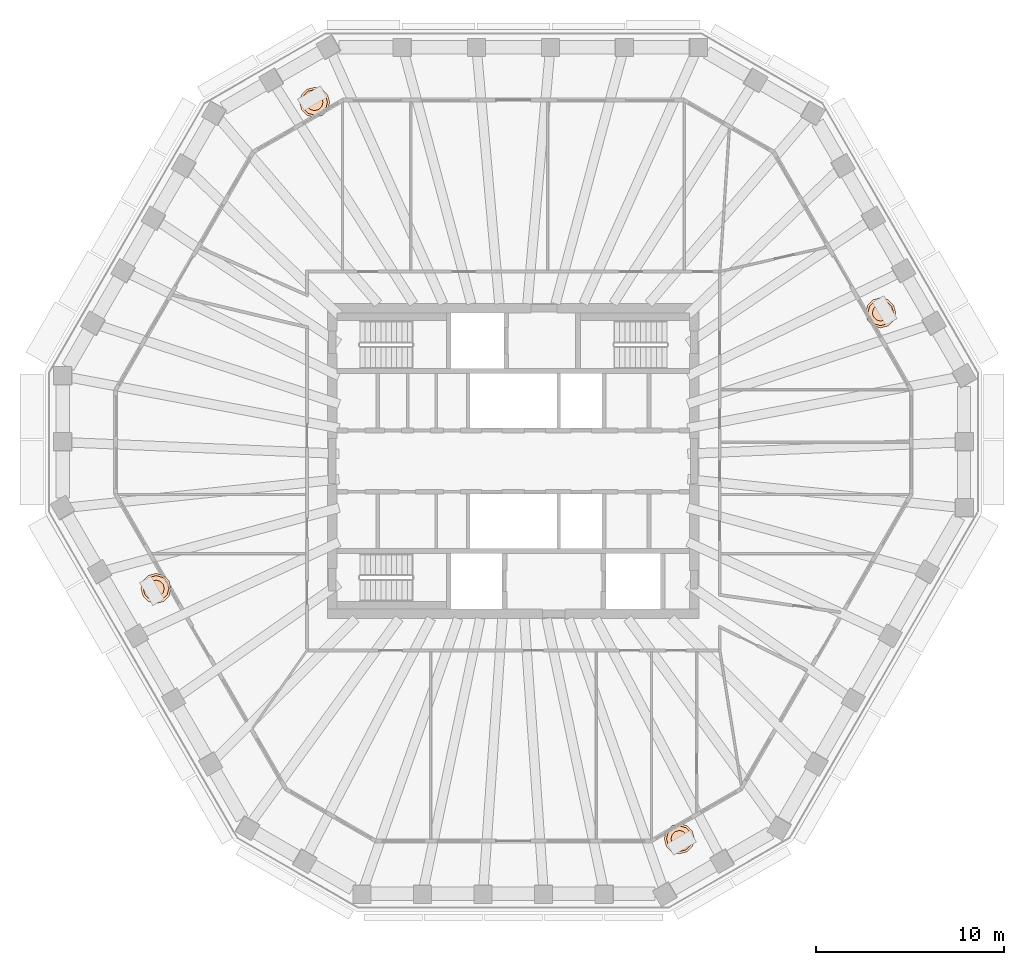
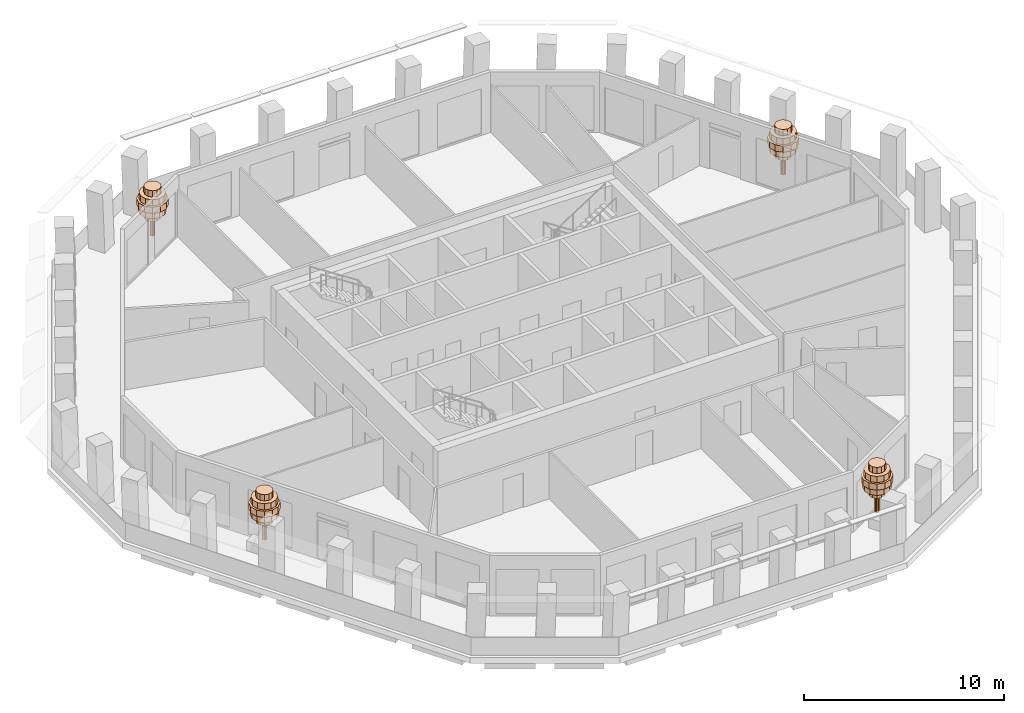
# One storey, part 11 of 11: 4 geographic elements.
"""IFC4 building model written with IfcOpenShell, lengths in metres."""

import ifcopenshell
import ifcopenshell.guid

model = None  # the IFC model being written
_history = None  # IfcOwnerHistory: only IFC2X3 demands one
_inside = {}  # id of a spatial element -> (the spatial element, [elements in it])
_under = {}  # id of a project, library or spatial element -> (it, [spatial elements below it])
_declared = {}  # id of a project -> (the project, [libraries it declares])
_typed = {}  # id of a type object -> (the type object, [elements of that type])
_made_of = {}  # id of a material, layer set ... -> (it, [elements and type objects made of it])


def new_model(schema):
    """Start an empty IFC model of exactly this schema.

    Asked for "IFC4X3", IfcOpenShell would pick the latest addendum, in which some entities
    have other attributes; the version numbers below select the first issue.
    IFC2X3 requires an IfcOwnerHistory on every rooted entity: one is made here for all.
    """
    global model, _history
    if schema == "IFC4X3":
        model = ifcopenshell.file(schema_version=(4, 3, 0, 0))
    else:
        model = ifcopenshell.file(schema=schema)
    _inside.clear()
    _under.clear()
    _declared.clear()
    _typed.clear()
    _made_of.clear()
    _history = None
    if model.schema == "IFC2X3":
        org = make("IfcOrganization", Name="unknown")
        user = make(
            "IfcPersonAndOrganization",
            ThePerson=make("IfcPerson", FamilyName="unknown"),
            TheOrganization=org,
        )
        app = make(
            "IfcApplication",
            ApplicationDeveloper=org,
            Version="unknown",
            ApplicationFullName="unknown",
            ApplicationIdentifier="unknown",
        )
        _history = make(
            "IfcOwnerHistory",
            OwningUser=user,
            OwningApplication=app,
            ChangeAction="ADDED",
            CreationDate=0,
        )
    return model


def make(cls, **values):
    """One entity of the class cls with the attributes given. An attribute that is None is left unset."""
    return model.create_entity(
        cls, **{name: value for name, value in values.items() if value is not None}
    )


def rooted(cls, **values):
    """An entity with a GlobalId (a new one), such as an element, a storey or a relation."""
    return make(cls, GlobalId=ifcopenshell.guid.new(), OwnerHistory=_history, **values)


def si_unit(unit_type, name, prefix=None):
    """IfcSIUnit, for example si_unit("LENGTHUNIT", "METRE", prefix="MILLI")."""
    return make("IfcSIUnit", UnitType=unit_type, Prefix=prefix, Name=name)


def assignment(units):
    """IfcUnitAssignment: the units of a project."""
    return None if units is None else make("IfcUnitAssignment", Units=units)


def point(xyz):
    """IfcCartesianPoint."""
    return None if xyz is None else make("IfcCartesianPoint", Coordinates=xyz)


def direction(xyz):
    """IfcDirection."""
    return None if xyz is None else make("IfcDirection", DirectionRatios=xyz)


def frame(location, z_axis=None, x_axis=None):
    """IfcAxis2Placement3D, a coordinate frame: its origin and axes. An axis left out is left unset."""
    return make(
        "IfcAxis2Placement3D",
        Location=point(location),
        Axis=direction(z_axis),
        RefDirection=direction(x_axis),
    )


def origin():
    """The frame at (0, 0, 0) with its axes left unset."""
    return frame((0.0, 0.0, 0.0))


def place(relative_to, where):
    """IfcLocalPlacement: puts the frame where relative to a parent placement (None: the world)."""
    return make(
        "IfcLocalPlacement", PlacementRelTo=relative_to, RelativePlacement=where
    )


def context(
    kind, dimensions, precision=None, world=None, true_north=None, identifier=None
):
    """IfcGeometricRepresentationContext, for example the 3D "Model" context."""
    return make(
        "IfcGeometricRepresentationContext",
        ContextIdentifier=identifier,
        ContextType=kind,
        CoordinateSpaceDimension=dimensions,
        Precision=precision,
        WorldCoordinateSystem=world,
        TrueNorth=true_north,
    )


def subcontext(parent, identifier, kind, view, scale=None):
    """IfcGeometricRepresentationSubContext, for example "Body" below "Model"."""
    return make(
        "IfcGeometricRepresentationSubContext",
        ContextIdentifier=identifier,
        ContextType=kind,
        ParentContext=parent,
        TargetScale=scale,
        TargetView=view,
    )


def project(units=None, contexts=None):
    """IfcProject with its units and contexts."""
    return rooted(
        "IfcProject",
        Name="project",
        RepresentationContexts=contexts,
        UnitsInContext=assignment(units),
    )


def spatial(cls, under=None, at=None, **own):
    """A site, building, storey or space (cls), placed at a placement, below another one or the project."""
    s = rooted(cls, ObjectPlacement=at, **own)
    if under is not None:
        _under.setdefault(under.id(), (under, []))[1].append(s)
    return s


def polyline(points):
    """IfcPolyline through the points."""
    return make("IfcPolyline", Points=[point(p) for p in points])


def outline(outer, holes=None, kind="AREA"):
    """IfcArbitraryClosedProfileDef: a profile drawn as a closed curve; with holes, ...WithVoids."""
    if holes is None:
        return make("IfcArbitraryClosedProfileDef", ProfileType=kind, OuterCurve=outer)
    return make(
        "IfcArbitraryProfileDefWithVoids",
        ProfileType=kind,
        OuterCurve=outer,
        InnerCurves=holes,
    )


def extrude(swept, where, along, depth):
    """IfcExtrudedAreaSolid: the profile swept, set in the frame where, extruded along a direction by depth."""
    return make(
        "IfcExtrudedAreaSolid",
        SweptArea=swept,
        Position=where,
        ExtrudedDirection=direction(along),
        Depth=depth,
    )


def shape(context_of_items, identifier, shape_type, items):
    """IfcShapeRepresentation: the items that make up one representation, for example the "Body"."""
    return make(
        "IfcShapeRepresentation",
        ContextOfItems=context_of_items,
        RepresentationIdentifier=identifier,
        RepresentationType=shape_type,
        Items=items,
    )


def material(Name=None, Category=None):
    """IfcMaterial."""
    return make("IfcMaterial", Name=Name, Category=Category)


def made_of(thing, what):
    """Note that an element or type object is made of a material, layer set ...; save() writes the relation."""
    if what is not None:
        _made_of.setdefault(what.id(), (what, []))[1].append(thing)
    return thing


def type_object(cls, material=None, **own):
    """A type object (cls), such as IfcWallType, which elements share."""
    return made_of(rooted(cls, **own), material)


def element(
    cls,
    number,
    at=None,
    inside=None,
    cuts=None,
    type_object=None,
    material=None,
    context=None,
    identifier="Body",
    shape_type=None,
    held_by="IfcProductDefinitionShape",
    body=None,
    shapes=None,
    **own,
):
    """One element of the class cls, such as IfcWall. Its Tag is "e" and its number.

    at: its placement. inside: the storey or other place that contains it. cuts: it is an
    opening in that element (IfcRelVoidsElement). A single representation is given by context,
    identifier, shape_type and body (its items); several are given by shapes. held_by: the class
    of the entity that holds the representations. save() writes the other relations.
    """
    e = rooted(cls, Tag="e%d" % number, ObjectPlacement=at, **own)
    if body is not None:
        shapes = [shape(context, identifier, shape_type, body)]
    if shapes is not None:
        e.Representation = make(held_by, Representations=shapes)
    if inside is not None:
        _inside.setdefault(inside.id(), (inside, []))[1].append(e)
    if cuts is not None:
        rooted(
            "IfcRelVoidsElement", RelatingBuildingElement=cuts, RelatedOpeningElement=e
        )
    if type_object is not None:
        _typed.setdefault(type_object.id(), (type_object, []))[1].append(e)
    return made_of(e, material)


def aggregate(whole, parts):
    """IfcRelAggregates: a whole, such as a stair, and the parts it consists of."""
    return rooted("IfcRelAggregates", RelatingObject=whole, RelatedObjects=parts)


def save(model, path):
    """Write the relations noted so far, then the file.

    IfcRelAggregates (storeys below a building ...), IfcRelContainedInSpatialStructure (elements
    in a storey), IfcRelDefinesByType, IfcRelAssociatesMaterial and IfcRelDeclares: one each for
    every whole, place, type object, material and project.
    """
    for whole, parts in _under.values():
        aggregate(whole, parts)
    for where, things in _inside.values():
        rooted(
            "IfcRelContainedInSpatialStructure",
            RelatedElements=things,
            RelatingStructure=where,
        )
    for kind, things in _typed.values():
        rooted("IfcRelDefinesByType", RelatedObjects=things, RelatingType=kind)
    for what, things in _made_of.values():
        rooted("IfcRelAssociatesMaterial", RelatedObjects=things, RelatingMaterial=what)
    for by, libraries in _declared.values():
        rooted("IfcRelDeclares", RelatingContext=by, RelatedDefinitions=libraries)
    model.write(path)


model = new_model("IFC4")

# Units and contexts
model_context = context("Model", 3, precision=1e-05, world=origin(), true_north=direction((0.0, 1.0)))
body_context = subcontext(model_context, "Body", "Model", "MODEL_VIEW")
ifc_project = project(units=[si_unit("LENGTHUNIT", "METRE"), si_unit("AREAUNIT", "SQUARE_METRE"), si_unit("VOLUMEUNIT", "CUBIC_METRE"), si_unit("PLANEANGLEUNIT", "RADIAN"), si_unit("MASSUNIT", "GRAM", prefix="KILO")], contexts=[model_context])

# Site, building, storey
site_placement = place(None, origin())
site = spatial("IfcSite", under=ifc_project, at=site_placement, CompositionType="ELEMENT")
building_placement = place(site_placement, origin())
building = spatial("IfcBuilding", under=site, at=building_placement, Name="Frailejon Research Tower", CompositionType="ELEMENT")
storey_placement = place(building_placement, frame((0.0, 0.0, 295.0)))
storey = spatial("IfcBuildingStorey", under=building, at=storey_placement, Name="L65", CompositionType="ELEMENT", Elevation=295.0)

# Geographic elements
ifc_material = material(Name="Foliage, green")
geographic_element_type = type_object("IfcGeographicElementType", Name="Frailejon tree, loggia", PredefinedType="USERDEFINED", material=ifc_material)
geographic_element_1_placement = place(storey_placement, frame((19.483154296875, 7.865234375, 0.60009765625)))
element("IfcGeographicElement", 1, at=geographic_element_1_placement, inside=storey, type_object=geographic_element_type, Name="Tree L65", ObjectType="TREE", PredefinedType="USERDEFINED", context=body_context, shape_type="SweptSolid", body=[
    extrude(outline(polyline([(0.1298828125, 0.0), (0.112548828125, 0.06494140625), (0.06494140625, 0.112548828125), (0.0, 0.1298828125), (-0.06494140625, 0.112548828125), (-0.112548828125, 0.06494140625), (-0.1298828125, 0.0), (-0.112548828125, -0.06494140625), (-0.06494140625, -0.112548828125), (0.0, -0.1298828125), (0.06494140625, -0.112548828125), (0.112548828125, -0.06494140625), (0.1298828125, 0.0)])), origin(), (0.0, 0.0, 1.0), 2.239990234375),
    extrude(outline(polyline([(0.43994140625, 0.0), (0.381103515625, 0.219970703125), (0.219970703125, 0.381103515625), (0.0, 0.43994140625), (-0.219970703125, 0.381103515625), (-0.381103515625, 0.219970703125), (-0.43994140625, 0.0), (-0.381103515625, -0.219970703125), (-0.219970703125, -0.381103515625), (0.0, -0.43994140625), (0.219970703125, -0.381103515625), (0.381103515625, -0.219970703125), (0.43994140625, 0.0)])), frame((0.0, 0.0, 1.10009765625)), (0.0, 0.0, 1.0), 0.3798828125),
    extrude(outline(polyline([(0.719970703125, 0.0), (0.62353515625, 0.360107421875), (0.360107421875, 0.62353515625), (0.0, 0.719970703125), (-0.360107421875, 0.62353515625), (-0.62353515625, 0.360107421875), (-0.719970703125, 0.0), (-0.62353515625, -0.360107421875), (-0.360107421875, -0.62353515625), (0.0, -0.719970703125), (0.360107421875, -0.62353515625), (0.62353515625, -0.360107421875), (0.719970703125, 0.0)])), frame((0.0, 0.0, 1.47998046875)), (0.0, 0.0, 1.0), 0.3798828125),
    extrude(outline(polyline([(0.800048828125, 0.0), (0.69287109375, 0.39990234375), (0.39990234375, 0.69287109375), (0.0, 0.800048828125), (-0.39990234375, 0.69287109375), (-0.69287109375, 0.39990234375), (-0.800048828125, 0.0), (-0.69287109375, -0.39990234375), (-0.39990234375, -0.69287109375), (0.0, -0.800048828125), (0.39990234375, -0.69287109375), (0.69287109375, -0.39990234375), (0.800048828125, 0.0)])), frame((0.0, 0.0, 1.860107421875)), (0.0, 0.0, 1.0), 0.3798828125),
    extrude(outline(polyline([(0.679931640625, 0.0), (0.5888671875, 0.340087890625), (0.340087890625, 0.5888671875), (0.0, 0.679931640625), (-0.340087890625, 0.5888671875), (-0.5888671875, 0.340087890625), (-0.679931640625, 0.0), (-0.5888671875, -0.340087890625), (-0.340087890625, -0.5888671875), (0.0, -0.679931640625), (0.340087890625, -0.5888671875), (0.5888671875, -0.340087890625), (0.679931640625, 0.0)])), frame((0.0, 0.0, 2.239990234375)), (0.0, 0.0, 1.0), 0.3798828125),
    extrude(outline(polyline([(0.43994140625, 0.0), (0.381103515625, 0.219970703125), (0.219970703125, 0.381103515625), (0.0, 0.43994140625), (-0.219970703125, 0.381103515625), (-0.381103515625, 0.219970703125), (-0.43994140625, 0.0), (-0.381103515625, -0.219970703125), (-0.219970703125, -0.381103515625), (0.0, -0.43994140625), (0.219970703125, -0.381103515625), (0.381103515625, -0.219970703125), (0.43994140625, 0.0)])), frame((0.0, 0.0, 2.6201171875)), (0.0, 0.0, 1.0), 0.3798828125),
])
geographic_element_2_placement = place(storey_placement, frame((-10.544921875, 19.03173828125, 0.60009765625)))
element("IfcGeographicElement", 2, at=geographic_element_2_placement, inside=storey, type_object=geographic_element_type, Name="Tree L65", ObjectType="TREE", PredefinedType="USERDEFINED", context=body_context, shape_type="SweptSolid", body=[
    extrude(outline(polyline([(0.1298828125, 0.0), (0.112548828125, 0.06494140625), (0.06494140625, 0.112548828125), (0.0, 0.1298828125), (-0.06494140625, 0.112548828125), (-0.112548828125, 0.06494140625), (-0.1298828125, 0.0), (-0.112548828125, -0.06494140625), (-0.06494140625, -0.112548828125), (0.0, -0.1298828125), (0.06494140625, -0.112548828125), (0.112548828125, -0.06494140625), (0.1298828125, 0.0)])), origin(), (0.0, 0.0, 1.0), 2.239990234375),
    extrude(outline(polyline([(0.43994140625, 0.0), (0.381103515625, 0.219970703125), (0.219970703125, 0.381103515625), (0.0, 0.43994140625), (-0.219970703125, 0.381103515625), (-0.381103515625, 0.219970703125), (-0.43994140625, 0.0), (-0.381103515625, -0.219970703125), (-0.219970703125, -0.381103515625), (0.0, -0.43994140625), (0.219970703125, -0.381103515625), (0.381103515625, -0.219970703125), (0.43994140625, 0.0)])), frame((0.0, 0.0, 1.10009765625)), (0.0, 0.0, 1.0), 0.3798828125),
    extrude(outline(polyline([(0.719970703125, 0.0), (0.62353515625, 0.360107421875), (0.360107421875, 0.62353515625), (0.0, 0.719970703125), (-0.360107421875, 0.62353515625), (-0.62353515625, 0.360107421875), (-0.719970703125, 0.0), (-0.62353515625, -0.360107421875), (-0.360107421875, -0.62353515625), (0.0, -0.719970703125), (0.360107421875, -0.62353515625), (0.62353515625, -0.360107421875), (0.719970703125, 0.0)])), frame((0.0, 0.0, 1.47998046875)), (0.0, 0.0, 1.0), 0.3798828125),
    extrude(outline(polyline([(0.800048828125, 0.0), (0.69287109375, 0.39990234375), (0.39990234375, 0.69287109375), (0.0, 0.800048828125), (-0.39990234375, 0.69287109375), (-0.69287109375, 0.39990234375), (-0.800048828125, 0.0), (-0.69287109375, -0.39990234375), (-0.39990234375, -0.69287109375), (0.0, -0.800048828125), (0.39990234375, -0.69287109375), (0.69287109375, -0.39990234375), (0.800048828125, 0.0)])), frame((0.0, 0.0, 1.860107421875)), (0.0, 0.0, 1.0), 0.3798828125),
    extrude(outline(polyline([(0.679931640625, 0.0), (0.5888671875, 0.340087890625), (0.340087890625, 0.5888671875), (0.0, 0.679931640625), (-0.340087890625, 0.5888671875), (-0.5888671875, 0.340087890625), (-0.679931640625, 0.0), (-0.5888671875, -0.340087890625), (-0.340087890625, -0.5888671875), (0.0, -0.679931640625), (0.340087890625, -0.5888671875), (0.5888671875, -0.340087890625), (0.679931640625, 0.0)])), frame((0.0, 0.0, 2.239990234375)), (0.0, 0.0, 1.0), 0.3798828125),
    extrude(outline(polyline([(0.43994140625, 0.0), (0.381103515625, 0.219970703125), (0.219970703125, 0.381103515625), (0.0, 0.43994140625), (-0.219970703125, 0.381103515625), (-0.381103515625, 0.219970703125), (-0.43994140625, 0.0), (-0.381103515625, -0.219970703125), (-0.219970703125, -0.381103515625), (0.0, -0.43994140625), (0.219970703125, -0.381103515625), (0.381103515625, -0.219970703125), (0.43994140625, 0.0)])), frame((0.0, 0.0, 2.6201171875)), (0.0, 0.0, 1.0), 0.3798828125),
])
geographic_element_3_placement = place(storey_placement, frame((-18.960693359375, -6.759033203125, 0.60009765625)))
element("IfcGeographicElement", 3, at=geographic_element_3_placement, inside=storey, type_object=geographic_element_type, Name="Tree L65", ObjectType="TREE", PredefinedType="USERDEFINED", context=body_context, shape_type="SweptSolid", body=[
    extrude(outline(polyline([(0.1298828125, 0.0), (0.112548828125, 0.06494140625), (0.06494140625, 0.112548828125), (0.0, 0.1298828125), (-0.06494140625, 0.112548828125), (-0.112548828125, 0.06494140625), (-0.1298828125, 0.0), (-0.112548828125, -0.06494140625), (-0.06494140625, -0.112548828125), (0.0, -0.1298828125), (0.06494140625, -0.112548828125), (0.112548828125, -0.06494140625), (0.1298828125, 0.0)])), origin(), (0.0, 0.0, 1.0), 2.239990234375),
    extrude(outline(polyline([(0.43994140625, 0.0), (0.381103515625, 0.219970703125), (0.219970703125, 0.381103515625), (0.0, 0.43994140625), (-0.219970703125, 0.381103515625), (-0.381103515625, 0.219970703125), (-0.43994140625, 0.0), (-0.381103515625, -0.219970703125), (-0.219970703125, -0.381103515625), (0.0, -0.43994140625), (0.219970703125, -0.381103515625), (0.381103515625, -0.219970703125), (0.43994140625, 0.0)])), frame((0.0, 0.0, 1.10009765625)), (0.0, 0.0, 1.0), 0.3798828125),
    extrude(outline(polyline([(0.719970703125, 0.0), (0.62353515625, 0.360107421875), (0.360107421875, 0.62353515625), (0.0, 0.719970703125), (-0.360107421875, 0.62353515625), (-0.62353515625, 0.360107421875), (-0.719970703125, 0.0), (-0.62353515625, -0.360107421875), (-0.360107421875, -0.62353515625), (0.0, -0.719970703125), (0.360107421875, -0.62353515625), (0.62353515625, -0.360107421875), (0.719970703125, 0.0)])), frame((0.0, 0.0, 1.47998046875)), (0.0, 0.0, 1.0), 0.3798828125),
    extrude(outline(polyline([(0.800048828125, 0.0), (0.69287109375, 0.39990234375), (0.39990234375, 0.69287109375), (0.0, 0.800048828125), (-0.39990234375, 0.69287109375), (-0.69287109375, 0.39990234375), (-0.800048828125, 0.0), (-0.69287109375, -0.39990234375), (-0.39990234375, -0.69287109375), (0.0, -0.800048828125), (0.39990234375, -0.69287109375), (0.69287109375, -0.39990234375), (0.800048828125, 0.0)])), frame((0.0, 0.0, 1.860107421875)), (0.0, 0.0, 1.0), 0.3798828125),
    extrude(outline(polyline([(0.679931640625, 0.0), (0.5888671875, 0.340087890625), (0.340087890625, 0.5888671875), (0.0, 0.679931640625), (-0.340087890625, 0.5888671875), (-0.5888671875, 0.340087890625), (-0.679931640625, 0.0), (-0.5888671875, -0.340087890625), (-0.340087890625, -0.5888671875), (0.0, -0.679931640625), (0.340087890625, -0.5888671875), (0.5888671875, -0.340087890625), (0.679931640625, 0.0)])), frame((0.0, 0.0, 2.239990234375)), (0.0, 0.0, 1.0), 0.3798828125),
    extrude(outline(polyline([(0.43994140625, 0.0), (0.381103515625, 0.219970703125), (0.219970703125, 0.381103515625), (0.0, 0.43994140625), (-0.219970703125, 0.381103515625), (-0.381103515625, 0.219970703125), (-0.43994140625, 0.0), (-0.381103515625, -0.219970703125), (-0.219970703125, -0.381103515625), (0.0, -0.43994140625), (0.219970703125, -0.381103515625), (0.381103515625, -0.219970703125), (0.43994140625, 0.0)])), frame((0.0, 0.0, 2.6201171875)), (0.0, 0.0, 1.0), 0.3798828125),
])
geographic_element_4_placement = place(storey_placement, frame((8.80322265625, -20.037353515625, 0.60009765625)))
element("IfcGeographicElement", 4, at=geographic_element_4_placement, inside=storey, type_object=geographic_element_type, Name="Tree L65", ObjectType="TREE", PredefinedType="USERDEFINED", context=body_context, shape_type="SweptSolid", body=[
    extrude(outline(polyline([(0.1298828125, 0.0), (0.112548828125, 0.06494140625), (0.06494140625, 0.112548828125), (0.0, 0.1298828125), (-0.06494140625, 0.112548828125), (-0.112548828125, 0.06494140625), (-0.1298828125, 0.0), (-0.112548828125, -0.06494140625), (-0.06494140625, -0.112548828125), (0.0, -0.1298828125), (0.06494140625, -0.112548828125), (0.112548828125, -0.06494140625), (0.1298828125, 0.0)])), origin(), (0.0, 0.0, 1.0), 2.239990234375),
    extrude(outline(polyline([(0.43994140625, 0.0), (0.381103515625, 0.219970703125), (0.219970703125, 0.381103515625), (0.0, 0.43994140625), (-0.219970703125, 0.381103515625), (-0.381103515625, 0.219970703125), (-0.43994140625, 0.0), (-0.381103515625, -0.219970703125), (-0.219970703125, -0.381103515625), (0.0, -0.43994140625), (0.219970703125, -0.381103515625), (0.381103515625, -0.219970703125), (0.43994140625, 0.0)])), frame((0.0, 0.0, 1.10009765625)), (0.0, 0.0, 1.0), 0.3798828125),
    extrude(outline(polyline([(0.719970703125, 0.0), (0.62353515625, 0.360107421875), (0.360107421875, 0.62353515625), (0.0, 0.719970703125), (-0.360107421875, 0.62353515625), (-0.62353515625, 0.360107421875), (-0.719970703125, 0.0), (-0.62353515625, -0.360107421875), (-0.360107421875, -0.62353515625), (0.0, -0.719970703125), (0.360107421875, -0.62353515625), (0.62353515625, -0.360107421875), (0.719970703125, 0.0)])), frame((0.0, 0.0, 1.47998046875)), (0.0, 0.0, 1.0), 0.3798828125),
    extrude(outline(polyline([(0.800048828125, 0.0), (0.69287109375, 0.39990234375), (0.39990234375, 0.69287109375), (0.0, 0.800048828125), (-0.39990234375, 0.69287109375), (-0.69287109375, 0.39990234375), (-0.800048828125, 0.0), (-0.69287109375, -0.39990234375), (-0.39990234375, -0.69287109375), (0.0, -0.800048828125), (0.39990234375, -0.69287109375), (0.69287109375, -0.39990234375), (0.800048828125, 0.0)])), frame((0.0, 0.0, 1.860107421875)), (0.0, 0.0, 1.0), 0.3798828125),
    extrude(outline(polyline([(0.679931640625, 0.0), (0.5888671875, 0.340087890625), (0.340087890625, 0.5888671875), (0.0, 0.679931640625), (-0.340087890625, 0.5888671875), (-0.5888671875, 0.340087890625), (-0.679931640625, 0.0), (-0.5888671875, -0.340087890625), (-0.340087890625, -0.5888671875), (0.0, -0.679931640625), (0.340087890625, -0.5888671875), (0.5888671875, -0.340087890625), (0.679931640625, 0.0)])), frame((0.0, 0.0, 2.239990234375)), (0.0, 0.0, 1.0), 0.3798828125),
    extrude(outline(polyline([(0.43994140625, 0.0), (0.381103515625, 0.219970703125), (0.219970703125, 0.381103515625), (0.0, 0.43994140625), (-0.219970703125, 0.381103515625), (-0.381103515625, 0.219970703125), (-0.43994140625, 0.0), (-0.381103515625, -0.219970703125), (-0.219970703125, -0.381103515625), (0.0, -0.43994140625), (0.219970703125, -0.381103515625), (0.381103515625, -0.219970703125), (0.43994140625, 0.0)])), frame((0.0, 0.0, 2.6201171875)), (0.0, 0.0, 1.0), 0.3798828125),
])

save(model, "model.ifc")
